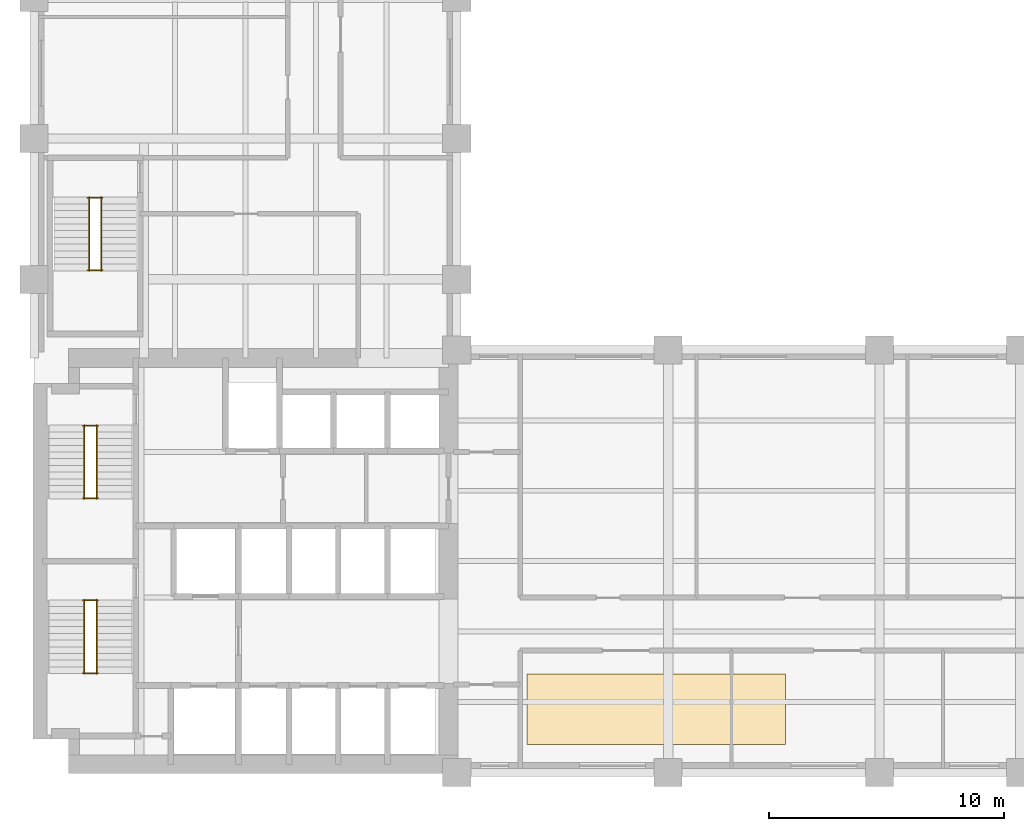
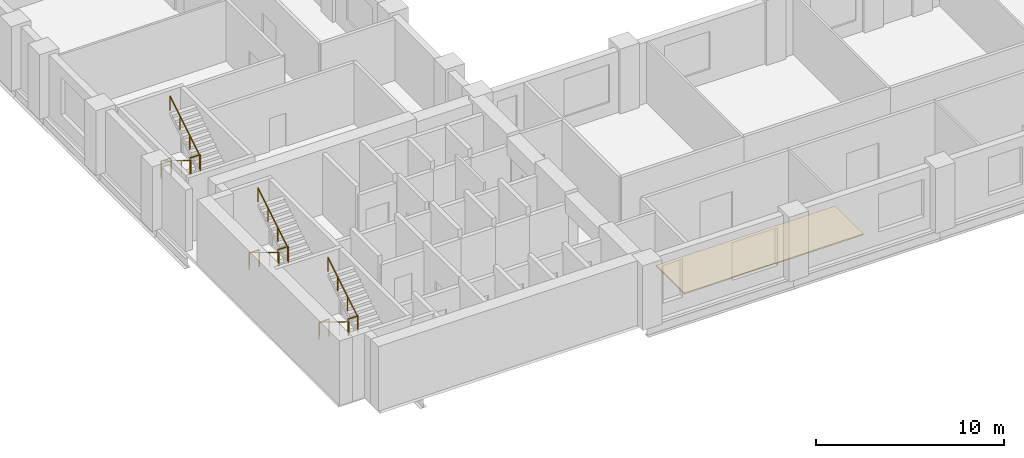
# One storey, part 7 of 7: 12 railings, 1 covering.
"""IFC4 building model written with IfcOpenShell, lengths in metres."""

import ifcopenshell
import ifcopenshell.guid

model = None  # the IFC model being written
_history = None  # IfcOwnerHistory: only IFC2X3 demands one
_inside = {}  # id of a spatial element -> (the spatial element, [elements in it])
_under = {}  # id of a project, library or spatial element -> (it, [spatial elements below it])
_declared = {}  # id of a project -> (the project, [libraries it declares])
_typed = {}  # id of a type object -> (the type object, [elements of that type])
_made_of = {}  # id of a material, layer set ... -> (it, [elements and type objects made of it])


def new_model(schema):
    """Start an empty IFC model of exactly this schema.

    Asked for "IFC4X3", IfcOpenShell would pick the latest addendum, in which some entities
    have other attributes; the version numbers below select the first issue.
    IFC2X3 requires an IfcOwnerHistory on every rooted entity: one is made here for all.
    """
    global model, _history
    if schema == "IFC4X3":
        model = ifcopenshell.file(schema_version=(4, 3, 0, 0))
    else:
        model = ifcopenshell.file(schema=schema)
    _inside.clear()
    _under.clear()
    _declared.clear()
    _typed.clear()
    _made_of.clear()
    _history = None
    if model.schema == "IFC2X3":
        org = make("IfcOrganization", Name="unknown")
        user = make(
            "IfcPersonAndOrganization",
            ThePerson=make("IfcPerson", FamilyName="unknown"),
            TheOrganization=org,
        )
        app = make(
            "IfcApplication",
            ApplicationDeveloper=org,
            Version="unknown",
            ApplicationFullName="unknown",
            ApplicationIdentifier="unknown",
        )
        _history = make(
            "IfcOwnerHistory",
            OwningUser=user,
            OwningApplication=app,
            ChangeAction="ADDED",
            CreationDate=0,
        )
    return model


def make(cls, **values):
    """One entity of the class cls with the attributes given. An attribute that is None is left unset."""
    return model.create_entity(
        cls, **{name: value for name, value in values.items() if value is not None}
    )


def rooted(cls, **values):
    """An entity with a GlobalId (a new one), such as an element, a storey or a relation."""
    return make(cls, GlobalId=ifcopenshell.guid.new(), OwnerHistory=_history, **values)


def si_unit(unit_type, name, prefix=None):
    """IfcSIUnit, for example si_unit("LENGTHUNIT", "METRE", prefix="MILLI")."""
    return make("IfcSIUnit", UnitType=unit_type, Prefix=prefix, Name=name)


def assignment(units):
    """IfcUnitAssignment: the units of a project."""
    return None if units is None else make("IfcUnitAssignment", Units=units)


def point(xyz):
    """IfcCartesianPoint."""
    return None if xyz is None else make("IfcCartesianPoint", Coordinates=xyz)


def direction(xyz):
    """IfcDirection."""
    return None if xyz is None else make("IfcDirection", DirectionRatios=xyz)


def frame(location, z_axis=None, x_axis=None):
    """IfcAxis2Placement3D, a coordinate frame: its origin and axes. An axis left out is left unset."""
    return make(
        "IfcAxis2Placement3D",
        Location=point(location),
        Axis=direction(z_axis),
        RefDirection=direction(x_axis),
    )


def frame_2d(location, x_axis=None):
    """IfcAxis2Placement2D, a coordinate frame in the plane: its origin and x axis."""
    return make(
        "IfcAxis2Placement2D", Location=point(location), RefDirection=direction(x_axis)
    )


def origin():
    """The frame at (0, 0, 0) with its axes left unset."""
    return frame((0.0, 0.0, 0.0))


def origin_2d():
    """The frame at (0, 0) in the plane with its x axis left unset."""
    return frame_2d((0.0, 0.0))


def place(relative_to, where):
    """IfcLocalPlacement: puts the frame where relative to a parent placement (None: the world)."""
    return make(
        "IfcLocalPlacement", PlacementRelTo=relative_to, RelativePlacement=where
    )


def context(
    kind, dimensions, precision=None, world=None, true_north=None, identifier=None
):
    """IfcGeometricRepresentationContext, for example the 3D "Model" context."""
    return make(
        "IfcGeometricRepresentationContext",
        ContextIdentifier=identifier,
        ContextType=kind,
        CoordinateSpaceDimension=dimensions,
        Precision=precision,
        WorldCoordinateSystem=world,
        TrueNorth=true_north,
    )


def subcontext(parent, identifier, kind, view, scale=None):
    """IfcGeometricRepresentationSubContext, for example "Body" below "Model"."""
    return make(
        "IfcGeometricRepresentationSubContext",
        ContextIdentifier=identifier,
        ContextType=kind,
        ParentContext=parent,
        TargetScale=scale,
        TargetView=view,
    )


def project(units=None, contexts=None):
    """IfcProject with its units and contexts."""
    return rooted(
        "IfcProject",
        Name="project",
        RepresentationContexts=contexts,
        UnitsInContext=assignment(units),
    )


def spatial(cls, under=None, at=None, **own):
    """A site, building, storey or space (cls), placed at a placement, below another one or the project."""
    s = rooted(cls, ObjectPlacement=at, **own)
    if under is not None:
        _under.setdefault(under.id(), (under, []))[1].append(s)
    return s


def polyline(points):
    """IfcPolyline through the points."""
    return make("IfcPolyline", Points=[point(p) for p in points])


def profile(cls, at=None, kind="AREA", **sizes):
    """A parametric profile (cls). Its sizes go by their IFC names, for example OverallWidth=200.0."""
    return make(cls, ProfileType=kind, Position=at, **sizes)


def circle(**sizes):
    """IfcCircleProfileDef."""
    return profile("IfcCircleProfileDef", **sizes)


def outline(outer, holes=None, kind="AREA"):
    """IfcArbitraryClosedProfileDef: a profile drawn as a closed curve; with holes, ...WithVoids."""
    if holes is None:
        return make("IfcArbitraryClosedProfileDef", ProfileType=kind, OuterCurve=outer)
    return make(
        "IfcArbitraryProfileDefWithVoids",
        ProfileType=kind,
        OuterCurve=outer,
        InnerCurves=holes,
    )


def extrude(swept, where, along, depth):
    """IfcExtrudedAreaSolid: the profile swept, set in the frame where, extruded along a direction by depth."""
    return make(
        "IfcExtrudedAreaSolid",
        SweptArea=swept,
        Position=where,
        ExtrudedDirection=direction(along),
        Depth=depth,
    )


def shape(context_of_items, identifier, shape_type, items):
    """IfcShapeRepresentation: the items that make up one representation, for example the "Body"."""
    return make(
        "IfcShapeRepresentation",
        ContextOfItems=context_of_items,
        RepresentationIdentifier=identifier,
        RepresentationType=shape_type,
        Items=items,
    )


def material(Name=None, Category=None):
    """IfcMaterial."""
    return make("IfcMaterial", Name=Name, Category=Category)


def layer(
    of_material, thickness, ventilated=None, Name=None, Category=None, Priority=None
):
    """IfcMaterialLayer: one layer of a wall or slab, of a material (None: an air gap)."""
    return make(
        "IfcMaterialLayer",
        Material=of_material,
        LayerThickness=thickness,
        IsVentilated=ventilated,
        Name=Name,
        Category=Category,
        Priority=Priority,
    )


def layer_set(layers, Name=None):
    """IfcMaterialLayerSet."""
    return make("IfcMaterialLayerSet", MaterialLayers=layers, LayerSetName=Name)


def made_of(thing, what):
    """Note that an element or type object is made of a material, layer set ...; save() writes the relation."""
    if what is not None:
        _made_of.setdefault(what.id(), (what, []))[1].append(thing)
    return thing


def type_object(cls, material=None, **own):
    """A type object (cls), such as IfcWallType, which elements share."""
    return made_of(rooted(cls, **own), material)


def element(
    cls,
    number,
    at=None,
    inside=None,
    cuts=None,
    type_object=None,
    material=None,
    context=None,
    identifier="Body",
    shape_type=None,
    held_by="IfcProductDefinitionShape",
    body=None,
    shapes=None,
    **own,
):
    """One element of the class cls, such as IfcWall. Its Tag is "e" and its number.

    at: its placement. inside: the storey or other place that contains it. cuts: it is an
    opening in that element (IfcRelVoidsElement). A single representation is given by context,
    identifier, shape_type and body (its items); several are given by shapes. held_by: the class
    of the entity that holds the representations. save() writes the other relations.
    """
    e = rooted(cls, Tag="e%d" % number, ObjectPlacement=at, **own)
    if body is not None:
        shapes = [shape(context, identifier, shape_type, body)]
    if shapes is not None:
        e.Representation = make(held_by, Representations=shapes)
    if inside is not None:
        _inside.setdefault(inside.id(), (inside, []))[1].append(e)
    if cuts is not None:
        rooted(
            "IfcRelVoidsElement", RelatingBuildingElement=cuts, RelatedOpeningElement=e
        )
    if type_object is not None:
        _typed.setdefault(type_object.id(), (type_object, []))[1].append(e)
    return made_of(e, material)


def aggregate(whole, parts):
    """IfcRelAggregates: a whole, such as a stair, and the parts it consists of."""
    return rooted("IfcRelAggregates", RelatingObject=whole, RelatedObjects=parts)


def save(model, path):
    """Write the relations noted so far, then the file.

    IfcRelAggregates (storeys below a building ...), IfcRelContainedInSpatialStructure (elements
    in a storey), IfcRelDefinesByType, IfcRelAssociatesMaterial and IfcRelDeclares: one each for
    every whole, place, type object, material and project.
    """
    for whole, parts in _under.values():
        aggregate(whole, parts)
    for where, things in _inside.values():
        rooted(
            "IfcRelContainedInSpatialStructure",
            RelatedElements=things,
            RelatingStructure=where,
        )
    for kind, things in _typed.values():
        rooted("IfcRelDefinesByType", RelatedObjects=things, RelatingType=kind)
    for what, things in _made_of.values():
        rooted("IfcRelAssociatesMaterial", RelatedObjects=things, RelatingMaterial=what)
    for by, libraries in _declared.values():
        rooted("IfcRelDeclares", RelatingContext=by, RelatedDefinitions=libraries)
    model.write(path)


model = new_model("IFC4")

# Units and contexts
model_context = context("Model", 3, precision=1e-05, world=origin(), true_north=direction((0.0, 1.0)))
body_context = subcontext(model_context, "Body", "Model", "MODEL_VIEW")
ifc_project = project(units=[si_unit("LENGTHUNIT", "METRE"), si_unit("AREAUNIT", "SQUARE_METRE"), si_unit("VOLUMEUNIT", "CUBIC_METRE"), si_unit("PLANEANGLEUNIT", "RADIAN"), si_unit("MASSUNIT", "GRAM", prefix="KILO")], contexts=[model_context])

# Site, building, storey
site_placement = place(None, origin())
site = spatial("IfcSite", under=ifc_project, at=site_placement, CompositionType="ELEMENT")
building_placement = place(site_placement, origin())
building = spatial("IfcBuilding", under=site, at=building_placement, Name="Mawjdan Bourse Tower", CompositionType="ELEMENT")
storey_placement = place(building_placement, frame((0.0, 0.0, 30.0)))
storey = spatial("IfcBuildingStorey", under=building, at=storey_placement, Name="L06", CompositionType="ELEMENT", Elevation=30.0)

# Covering
ifc_material_1 = material(Name="Calcium Sulphate Antistatic Raised Floor Tile")
ifc_layer = layer(ifc_material_1, 0.080078125)
ifc_layer_set = layer_set([ifc_layer], Name="Calcium Sulphate Antistatic Raised Floor Tile")
covering_type = type_object("IfcCoveringType", Name="COV-FLR-450", PredefinedType="FLOORING", material=ifc_layer_set)
covering_placement = place(storey_placement, origin())
element("IfcCovering", 1, at=covering_placement, inside=storey, type_object=covering_type, Name="L06 Antistatic Raised Access Trading Floor", PredefinedType="FLOORING", context=body_context, shape_type="SweptSolid", body=[
    extrude(outline(polyline([(27.0, 4.199951171875), (38.0, 4.199951171875), (38.0, 7.199951171875), (27.0, 7.199951171875), (27.0, 4.199951171875)])), origin(), (0.0, 0.0, 1.0), 0.080078125),
])

# Railings
ifc_material_2 = material(Name="Structural Steel S355", Category="steel")
railing_type_1 = type_object("IfcRailingType", Name="RLG-GRD-1100", PredefinedType="GUARDRAIL", material=ifc_material_2)
for number, where, name in (
    (2, (8.090087890625, 7.235107421875, 2.10009765625), "L06 ST1 Landing Guardrail GL-MID"),
    (3, (8.090087890625, 10.330078125, 0.0), "L06 ST1 Landing Guardrail GL-BOT"),
    (4, (8.090087890625, 14.675048828125, 2.10009765625), "L06 ST2 Landing Guardrail GL-MID"),
    (5, (8.090087890625, 17.77001953125, 0.0), "L06 ST2 Landing Guardrail GL-BOT"),
    (6, (8.2900390625, 24.385009765625, 2.10009765625), "L06 ST3 Landing Guardrail GL-MID"),
    (7, (8.2900390625, 27.47998046875, 0.0), "L06 ST3 Landing Guardrail GL-BOT"),
):
    element("IfcRailing", number, at=place(storey_placement, frame(where)), inside=storey, type_object=railing_type_1, Name=name, PredefinedType="GUARDRAIL", context=body_context, shape_type="SweptSolid", body=[
        extrude(circle(Radius=0.02490234375, at=origin_2d()), frame((0.0, 0.0, 1.0751953125), z_axis=(1.0, 0.0, 0.0), x_axis=(0.0, 1.0, 0.0)), (0.0, 0.0, 1.0), 0.619873046875),
        extrude(circle(Radius=0.02099609375, at=origin_2d()), origin(), (0.0, 0.0, 1.0), 1.050048828125),
        extrude(circle(Radius=0.02099609375, at=origin_2d()), frame((0.619873046875, 0.0, 0.0)), (0.0, 0.0, 1.0), 1.050048828125),
    ])
ifc_material_3 = material(Name="Brushed Stainless Steel", Category="steel")
railing_type_2 = type_object("IfcRailingType", Name="RLG-HND-920", PredefinedType="HANDRAIL", material=ifc_material_3)
railing_1_placement = place(storey_placement, frame((8.139892578125, 10.35009765625, 0.175048828125)))
element("IfcRailing", 8, at=railing_1_placement, inside=storey, type_object=railing_type_2, Name="L06 ST1 Flight Handrail HR1", PredefinedType="HANDRAIL", context=body_context, shape_type="SweptSolid", body=[
    extrude(circle(Radius=0.0224609375, at=origin_2d()), frame((0.0, 0.0, 0.8974609375), z_axis=(0.0, -0.852166034122, 0.523271488128), x_axis=(1.0, 0.0, 0.0)), (0.0, 0.0, 1.0), 3.678955078125),
    extrude(circle(Radius=0.01904296875, at=origin_2d()), origin(), (0.0, 0.0, 1.0), 0.875),
    extrude(circle(Radius=0.01904296875, at=origin_2d()), frame((0.0, -1.044921875, 0.6416015625)), (0.0, 0.0, 1.0), 0.875),
    extrude(circle(Radius=0.01904296875, at=origin_2d()), frame((0.0, -2.090087890625, 1.283447265625)), (0.0, 0.0, 1.0), 0.875),
    extrude(circle(Radius=0.01904296875, at=origin_2d()), frame((0.0, -3.135009765625, 1.925048828125)), (0.0, 0.0, 1.0), 0.875),
])
railing_2_placement = place(storey_placement, frame((8.659912109375, 7.215087890625, 2.27490234375)))
element("IfcRailing", 9, at=railing_2_placement, inside=storey, type_object=railing_type_2, Name="L06 ST1 Flight Handrail HR2", PredefinedType="HANDRAIL", context=body_context, shape_type="SweptSolid", body=[
    extrude(circle(Radius=0.0224609375, at=origin_2d()), frame((0.0, 0.0, 0.8974609375), z_axis=(0.0, 0.852166034122, 0.523271488128), x_axis=(-1.0, 0.0, 0.0)), (0.0, 0.0, 1.0), 3.678955078125),
    extrude(circle(Radius=0.01904296875, at=origin_2d()), origin(), (0.0, 0.0, 1.0), 0.875),
    extrude(circle(Radius=0.01904296875, at=origin_2d()), frame((0.0, 1.044921875, 0.6416015625)), (0.0, 0.0, 1.0), 0.875),
    extrude(circle(Radius=0.01904296875, at=origin_2d()), frame((0.0, 2.090087890625, 1.283447265625)), (0.0, 0.0, 1.0), 0.875),
    extrude(circle(Radius=0.01904296875, at=origin_2d()), frame((0.0, 3.135009765625, 1.925048828125)), (0.0, 0.0, 1.0), 0.875),
])
railing_3_placement = place(storey_placement, frame((8.139892578125, 17.7900390625, 0.175048828125)))
element("IfcRailing", 10, at=railing_3_placement, inside=storey, type_object=railing_type_2, Name="L06 ST2 Flight Handrail HR1", PredefinedType="HANDRAIL", context=body_context, shape_type="SweptSolid", body=[
    extrude(circle(Radius=0.0224609375, at=origin_2d()), frame((0.0, 0.0, 0.8974609375), z_axis=(0.0, -0.852166034122, 0.523271488128), x_axis=(1.0, 0.0, 0.0)), (0.0, 0.0, 1.0), 3.678955078125),
    extrude(circle(Radius=0.01904296875, at=origin_2d()), origin(), (0.0, 0.0, 1.0), 0.875),
    extrude(circle(Radius=0.01904296875, at=origin_2d()), frame((0.0, -1.044921875, 0.6416015625)), (0.0, 0.0, 1.0), 0.875),
    extrude(circle(Radius=0.01904296875, at=origin_2d()), frame((0.0, -2.090087890625, 1.283447265625)), (0.0, 0.0, 1.0), 0.875),
    extrude(circle(Radius=0.01904296875, at=origin_2d()), frame((0.0, -3.135009765625, 1.925048828125)), (0.0, 0.0, 1.0), 0.875),
])
railing_4_placement = place(storey_placement, frame((8.659912109375, 14.655029296875, 2.27490234375)))
element("IfcRailing", 11, at=railing_4_placement, inside=storey, type_object=railing_type_2, Name="L06 ST2 Flight Handrail HR2", PredefinedType="HANDRAIL", context=body_context, shape_type="SweptSolid", body=[
    extrude(circle(Radius=0.0224609375, at=origin_2d()), frame((0.0, 0.0, 0.8974609375), z_axis=(0.0, 0.852166034122, 0.523271488128), x_axis=(-1.0, 0.0, 0.0)), (0.0, 0.0, 1.0), 3.678955078125),
    extrude(circle(Radius=0.01904296875, at=origin_2d()), origin(), (0.0, 0.0, 1.0), 0.875),
    extrude(circle(Radius=0.01904296875, at=origin_2d()), frame((0.0, 1.044921875, 0.6416015625)), (0.0, 0.0, 1.0), 0.875),
    extrude(circle(Radius=0.01904296875, at=origin_2d()), frame((0.0, 2.090087890625, 1.283447265625)), (0.0, 0.0, 1.0), 0.875),
    extrude(circle(Radius=0.01904296875, at=origin_2d()), frame((0.0, 3.135009765625, 1.925048828125)), (0.0, 0.0, 1.0), 0.875),
])
railing_5_placement = place(storey_placement, frame((8.340087890625, 27.5, 0.175048828125)))
element("IfcRailing", 12, at=railing_5_placement, inside=storey, type_object=railing_type_2, Name="L06 ST3 Flight Handrail HR1", PredefinedType="HANDRAIL", context=body_context, shape_type="SweptSolid", body=[
    extrude(circle(Radius=0.0224609375, at=origin_2d()), frame((0.0, 0.0, 0.8974609375), z_axis=(0.0, -0.852166034122, 0.523271488128), x_axis=(1.0, 0.0, 0.0)), (0.0, 0.0, 1.0), 3.678955078125),
    extrude(circle(Radius=0.01904296875, at=origin_2d()), origin(), (0.0, 0.0, 1.0), 0.875),
    extrude(circle(Radius=0.01904296875, at=origin_2d()), frame((0.0, -1.044921875, 0.6416015625)), (0.0, 0.0, 1.0), 0.875),
    extrude(circle(Radius=0.01904296875, at=origin_2d()), frame((0.0, -2.090087890625, 1.283447265625)), (0.0, 0.0, 1.0), 0.875),
    extrude(circle(Radius=0.01904296875, at=origin_2d()), frame((0.0, -3.135009765625, 1.925048828125)), (0.0, 0.0, 1.0), 0.875),
])
railing_6_placement = place(storey_placement, frame((8.860107421875, 24.364990234375, 2.27490234375)))
element("IfcRailing", 13, at=railing_6_placement, inside=storey, type_object=railing_type_2, Name="L06 ST3 Flight Handrail HR2", PredefinedType="HANDRAIL", context=body_context, shape_type="SweptSolid", body=[
    extrude(circle(Radius=0.0224609375, at=origin_2d()), frame((0.0, 0.0, 0.8974609375), z_axis=(0.0, 0.852166034122, 0.523271488128), x_axis=(-1.0, 0.0, 0.0)), (0.0, 0.0, 1.0), 3.678955078125),
    extrude(circle(Radius=0.01904296875, at=origin_2d()), origin(), (0.0, 0.0, 1.0), 0.875),
    extrude(circle(Radius=0.01904296875, at=origin_2d()), frame((0.0, 1.044921875, 0.6416015625)), (0.0, 0.0, 1.0), 0.875),
    extrude(circle(Radius=0.01904296875, at=origin_2d()), frame((0.0, 2.090087890625, 1.283447265625)), (0.0, 0.0, 1.0), 0.875),
    extrude(circle(Radius=0.01904296875, at=origin_2d()), frame((0.0, 3.135009765625, 1.925048828125)), (0.0, 0.0, 1.0), 0.875),
])

save(model, "model.ifc")
